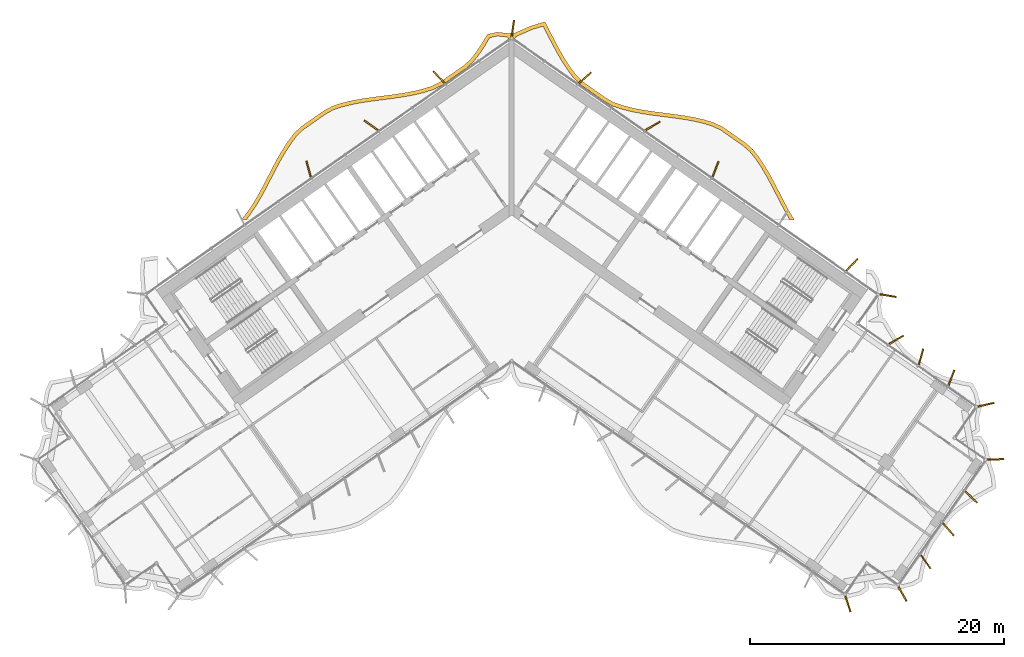
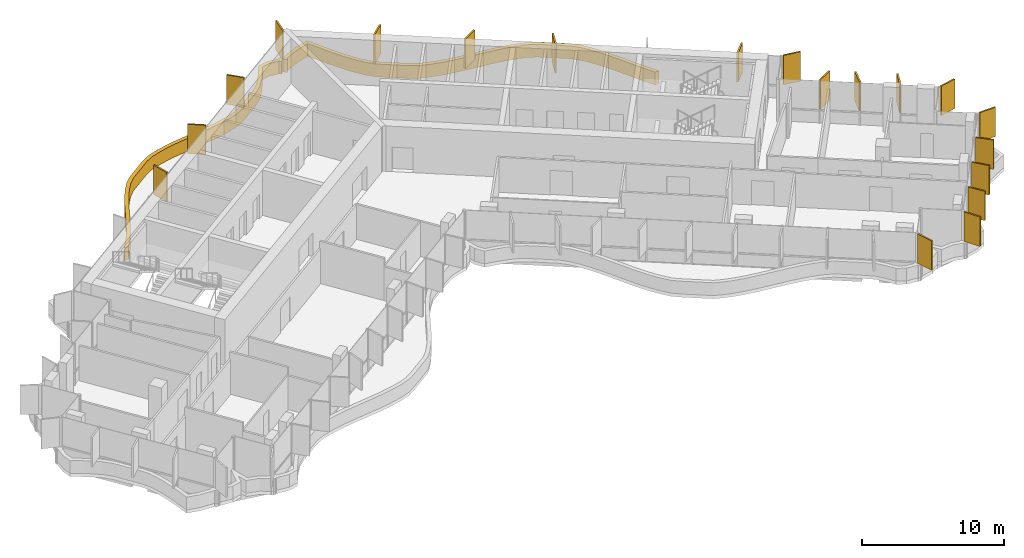
# One storey, part 23 of 23: 20 shading devices.
"""IFC4 building model written with IfcOpenShell, lengths in metres."""

from ifc_helpers import new_model, si_unit, direction, frame, origin, origin_2d, place, context, subcontext, project, spatial, polyline, rectangle, outline, extrude, material, layer, layer_set, type_object, element, save


model = new_model("IFC4")

# Units and contexts
model_context = context("Model", 3, precision=1e-05, world=origin(), true_north=direction((0.0, 1.0)))
body_context = subcontext(model_context, "Body", "Model", "MODEL_VIEW")
ifc_project = project(units=[si_unit("LENGTHUNIT", "METRE"), si_unit("AREAUNIT", "SQUARE_METRE"), si_unit("VOLUMEUNIT", "CUBIC_METRE"), si_unit("PLANEANGLEUNIT", "RADIAN"), si_unit("MASSUNIT", "GRAM", prefix="KILO")], contexts=[model_context])

# Site, building, storey
site_placement = place(None, origin())
site = spatial("IfcSite", under=ifc_project, at=site_placement, CompositionType="ELEMENT")
building_placement = place(site_placement, origin())
building = spatial("IfcBuilding", under=site, at=building_placement, Name="Tel Ilan Convention Tower", CompositionType="ELEMENT")
storey_placement = place(building_placement, frame((0.0, 0.0, 178.800048828125)))
storey = spatial("IfcBuildingStorey", under=building, at=storey_placement, Name="L41", CompositionType="ELEMENT", Elevation=178.800048828125)

# Shading devices
ifc_material_1 = material(Name="Aluminium, bronze anodised", Category="aluminium")
ifc_layer_1 = layer(ifc_material_1, 0.1201171875)
ifc_layer_set_1 = layer_set([ifc_layer_1], Name="FIN BRONZE 1300x120")
shading_device_type_1 = type_object("IfcShadingDeviceType", Name="FIN BRONZE 1300x120", PredefinedType="USERDEFINED", material=ifc_layer_set_1)
for number, where, z_axis, x_axis, name in (
    (1, (29.619140625, -7.562255859375, 1.099853515625), (0.0, 0.0, 1.0), (0.986445172547, -0.16409119891, 0.0), "FIN"),
    (2, (26.77685546875, -5.13623046875, 1.099853515625), (0.0, 0.0, 1.0), (0.686241637865, 0.727373641577, 0.0), "FIN"),
    (3, (16.037841796875, 2.375732421875, 1.099853515625), (0.0, 0.0, 1.0), (0.360177724803, 0.932883704733, 0.0), "FIN"),
    (4, (11.107666015625, 5.7900390625, 1.099853515625), (0.0, 0.0, 1.0), (0.866025403784, 0.5, 0.0), "FIN"),
    (5, (5.762939453125, 9.570068359375, 1.099853515625), (0.0, 0.0, 1.0), (0.753435896329, 0.657521368568, 0.0), "FIN"),
    (6, (0.09423828125, 13.469482421875, 1.099853515625), (0.0, 0.0, 1.0), (0.144931859301, 0.989441638582, 0.0), "FIN"),
    (7, (-5.716064453125, 9.61083984375, 1.099853515625), (0.0, 0.0, 1.0), (-0.686241637865, 0.727373641577, 0.0), "FIN"),
    (8, (-11.070556640625, 5.838623046875, 1.099853515625), (0.0, 0.0, 1.0), (-0.813552070258, 0.581492071294, 0.0), "FIN"),
    (9, (-15.981201171875, 2.39990234375, 1.099853515625), (0.0, 0.0, 1.0), (-0.268172612768, 0.963370878614, 0.0), "FIN"),
    (10, (26.4580078125, -31.8251953125, 1.099853515625), (0.0, 0.0, 1.0), (0.314544756146, -0.949242643575, 0.0), "FIN"),
    (11, (30.753173828125, -31.048583984375, 1.099853515625), (0.0, 0.0, 1.0), (0.491579408049, -0.870832754082, 0.0), "FIN"),
    (12, (32.573486328125, -28.5048828125, 1.099853515625), (0.0, 0.0, 1.0), (0.581492071294, -0.813552070258, 0.0), "FIN"),
    (13, (34.367919921875, -25.964111328125, 1.099853515625), (0.0, 0.0, 1.0), (0.657521368568, -0.753435896329, 0.0), "FIN"),
    (14, (36.157958984375, -23.418701171875, 1.099853515625), (0.0, 0.0, 1.0), (0.727373641577, -0.686241637865, 0.0), "FIN"),
    (15, (38.085693359375, -20.44921875, 1.099853515625), (0.0, 0.0, 1.0), (0.999576950082, 0.029084718749, 0.0), "FIN"),
    (16, (37.327392578125, -16.147216796875, 1.099853515625), (0.0, 0.0, 1.0), (0.975235208752, 0.221170268371, 0.0), "FIN"),
    (17, (34.5986328125, -14.0390625, 1.099853515625), (0.0, 0.0, 1.0), (0.360177724803, 0.932883704733, 0.0), "FIN"),
    (18, (32.20751953125, -12.3798828125, 1.099853515625), (0.0, 0.0, 1.0), (0.268172612768, 0.963370878614, 0.0), "FIN"),
    (19, (30.2646484375, -11.0419921875, 1.099853515625), (0.0, 0.0, 1.0), (0.866025403784, 0.5, 0.0), "FIN"),
):
    element("IfcShadingDevice", number, at=place(storey_placement, frame(where, z_axis=z_axis, x_axis=x_axis)), inside=storey, type_object=shading_device_type_1, Name=name, ObjectType="FIN", PredefinedType="USERDEFINED", context=body_context, shape_type="SweptSolid", body=[
        extrude(rectangle(XDim=1.300048828125, YDim=0.1201171875, at=origin_2d()), origin(), (0.0, 0.0, 1.0), 2.52001953125),
    ])
ifc_material_2 = material(Name="Aluminium, bronze anodised", Category="aluminium")
ifc_layer_2 = layer(ifc_material_2, 0.300048828125)
ifc_layer_set_2 = layer_set([ifc_layer_2], Name="LOUVRE BAND 300x1100")
shading_device_type_2 = type_object("IfcShadingDeviceType", Name="LOUVRE BAND 300x1100", PredefinedType="USERDEFINED", material=ifc_layer_set_2)
shading_device_placement = place(storey_placement, origin())
element("IfcShadingDevice", 20, at=shading_device_placement, inside=storey, type_object=shading_device_type_2, Name="LOUVRE BAND 31.02", ObjectType="LOUVRE", PredefinedType="USERDEFINED", context=body_context, shape_type="SweptSolid", body=[
    extrude(outline(polyline([(-20.849609375, -1.0634765625), (-21.30126953125, -1.631591796875), (-20.91796875, -1.631591796875), (-20.607666015625, -1.2412109375), (-20.154052734375, -0.572265625), (-19.73291015625, 0.13330078125), (-19.335205078125, 0.86328125), (-18.57080078125, 2.342041015625), (-18.1845703125, 3.06298828125), (-17.78369140625, 3.75341796875), (-17.359619140625, 4.40185546875), (-16.911376953125, 4.99072265625), (-16.409912109375, 5.478515625), (-14.633056640625, 6.722412109375), (-14.02197265625, 7.05712890625), (-13.32763671875, 7.284912109375), (-12.58056640625, 7.4697265625), (-11.800048828125, 7.61669921875), (-10.994384765625, 7.73681640625), (-9.345458984375, 7.94873046875), (-8.521484375, 8.068603515625), (-7.710693359375, 8.216064453125), (-6.921875, 8.404296875), (-6.152587890625, 8.64794921875), (-5.447509765625, 9.00390625), (-3.604248046875, 10.29443359375), (-3.021484375, 10.82373046875), (-2.525634765625, 11.46142578125), (-2.076904296875, 12.135498046875), (-1.727783203125, 12.727294921875), (-1.12451171875, 12.861572265625), (-0.33935546875, 12.77978515625), (-0.24609375, 12.646728515625), (0.0, 12.818115234375), (0.24609375, 12.646728515625), (0.3701171875, 12.82373046875), (1.583984375, 13.365234375), (2.46484375, 13.628173828125), (3.115478515625, 12.37158203125), (3.5078125, 11.636474609375), (3.92041015625, 10.921630859375), (4.362548828125, 10.239501953125), (4.84716796875, 9.595947265625), (5.407958984375, 9.031494140625), (7.251220703125, 7.74072265625), (7.93212890625, 7.353759765625), (8.69921875, 7.09716796875), (9.48291015625, 6.89990234375), (10.2900390625, 6.745361328125), (11.112060546875, 6.621337890625), (12.762939453125, 6.408935546875), (13.572509765625, 6.29248046875), (14.3583984375, 6.15185546875), (15.11279296875, 5.97509765625), (15.819580078125, 5.75537109375), (16.44921875, 5.450927734375), (18.22607421875, 4.206787109375), (18.74951171875, 3.746826171875), (19.200927734375, 3.172607421875), (19.63037109375, 2.533447265625), (20.03515625, 1.850341796875), (20.423583984375, 1.13427734375), (21.186767578125, -0.3427734375), (21.5810546875, -1.075927734375), (21.906005859375, -1.631591796875), (22.25341796875, -1.631591796875), (21.8427734375, -0.928955078125), (21.4521484375, -0.202880859375), (20.688720703125, 1.27490234375), (20.296142578125, 1.998291015625), (19.884033203125, 2.69384765625), (19.44384765625, 3.34912109375), (18.96826171875, 3.9541015625), (18.41162109375, 4.443115234375), (16.6015625, 5.71044921875), (15.929931640625, 6.03515625), (15.191650390625, 6.2646484375), (14.419189453125, 6.44580078125), (13.6201171875, 6.588623046875), (12.80322265625, 6.7060546875), (11.15380859375, 6.91845703125), (10.340576171875, 7.041259765625), (9.547607421875, 7.19287109375), (8.783447265625, 7.385498046875), (8.054931640625, 7.62890625), (7.411865234375, 7.99462890625), (5.601806640625, 9.261962890625), (5.074462890625, 9.792724609375), (4.608642578125, 10.41162109375), (4.17626953125, 11.078369140625), (3.770263671875, 11.7822265625), (3.38134765625, 12.510986328125), (2.6162109375, 13.986328125), (1.4794921875, 13.647216796875), (0.168701171875, 13.059326171875), (0.11474609375, 13.09521484375), (0.0, 13.1181640625), (-0.11474609375, 13.09521484375), (-0.168701171875, 13.059326171875), (-1.14208984375, 13.1650390625), (-1.919921875, 12.991943359375), (-2.3310546875, 12.294921875), (-2.769287109375, 11.63671875), (-3.242431640625, 11.0283203125), (-3.7919921875, 10.529296875), (-5.601806640625, 9.261962890625), (-6.26611328125, 8.926513671875), (-7.002197265625, 8.693603515625), (-7.7724609375, 8.509765625), (-8.570068359375, 8.36474609375), (-9.385986328125, 8.24609375), (-11.03564453125, 8.033935546875), (-11.849853515625, 7.91259765625), (-12.644287109375, 7.76318359375), (-13.41064453125, 7.573486328125), (-14.141845703125, 7.33349609375), (-14.791748046875, 6.977783203125), (-16.6015625, 5.71044921875), (-17.136474609375, 5.1904296875), (-17.604736328125, 4.574951171875), (-18.0390625, 3.9111328125), (-18.44677734375, 3.209228515625), (-18.83642578125, 2.481689453125), (-19.60009765625, 1.004150390625), (-19.993408203125, 0.281982421875), (-20.4072265625, -0.4111328125), (-20.849609375, -1.0634765625)])), origin(), (0.0, 0.0, 1.0), 1.099853515625),
])

save(model, "model.ifc")
